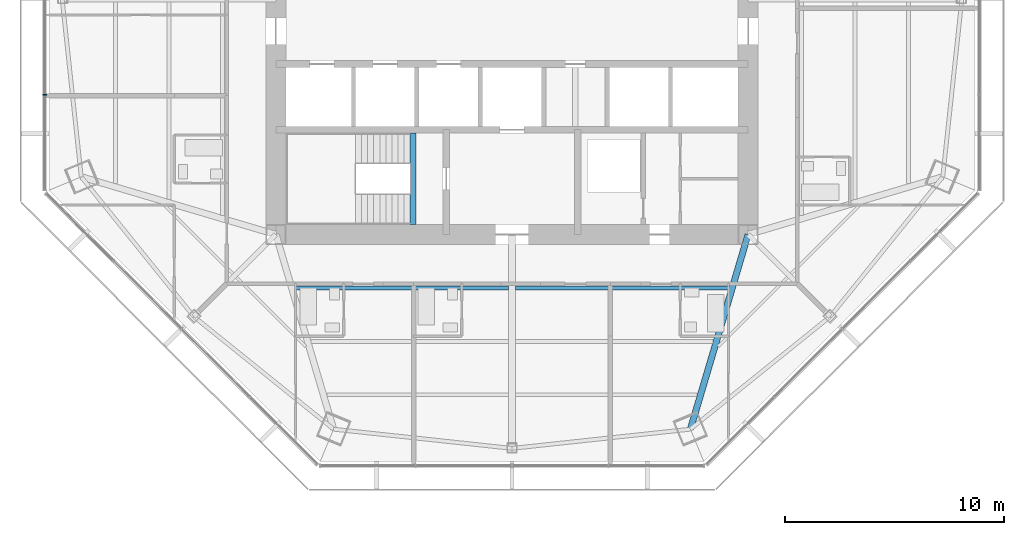
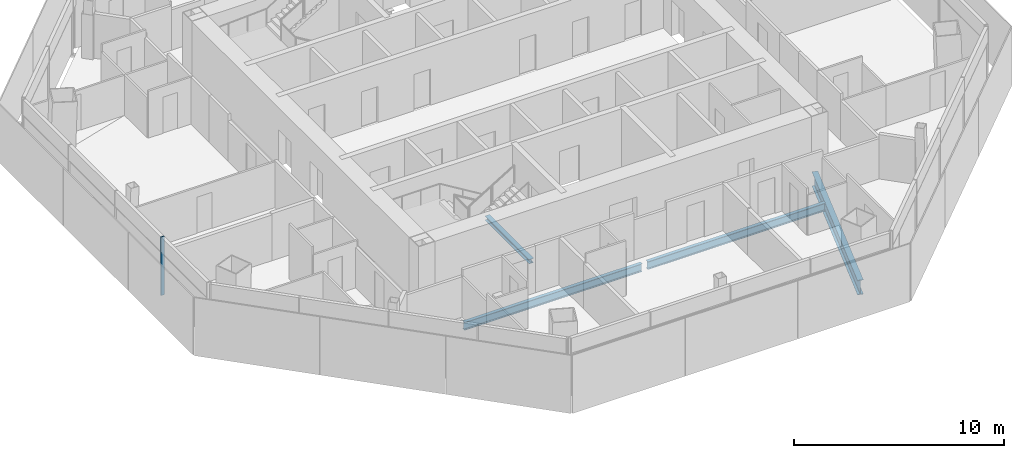
# One storey, part 3 of 15: 4 beams, 1 member, 1 element without a shape of its own.
"""IFC4 building model written with IfcOpenShell, lengths in metres."""

from ifc_helpers import new_model, si_unit, direction, frame, origin, origin_2d, place, context, subcontext, project, spatial, rectangle, i_section, extrude, source, transform, mapped, material, material_profile, profile_set, type_object, type_shapes, element, aggregate, save


model = new_model("IFC4")

# Units and contexts
model_context = context("Model", 3, precision=1e-05, world=origin(), true_north=direction((0.0, 1.0)))
body_context = subcontext(model_context, "Body", "Model", "MODEL_VIEW")
ifc_project = project(units=[si_unit("LENGTHUNIT", "METRE"), si_unit("AREAUNIT", "SQUARE_METRE"), si_unit("VOLUMEUNIT", "CUBIC_METRE"), si_unit("PLANEANGLEUNIT", "RADIAN"), si_unit("MASSUNIT", "GRAM", prefix="KILO")], contexts=[model_context])

# Site, building, storey
site_placement = place(None, origin())
site = spatial("IfcSite", under=ifc_project, at=site_placement, CompositionType="ELEMENT")
building_placement = place(site_placement, origin())
building = spatial("IfcBuilding", under=site, at=building_placement, Name="Mashrafa Tower", CompositionType="ELEMENT")
storey_placement = place(building_placement, frame((0.0, 0.0, 234.60009765625)))
storey = spatial("IfcBuildingStorey", under=building, at=storey_placement, Name="L55", CompositionType="ELEMENT", Elevation=234.60009765625)

# Beams
ifc_material_1 = material(Name="Steel ASTM A992", Category="steel")
ifc_material_profile_1 = material_profile(ifc_material_1, i_section(OverallWidth=0.191162109375, OverallDepth=0.459716796875, WebThickness=0.010009765625, FlangeThickness=0.01611328125, FilletRadius=0.01025390625, at=origin_2d()), Name="W18X55")
ifc_profile_set_1 = profile_set([ifc_material_profile_1], Name="Steel ASTM A992")
beam_type_1 = type_object("IfcBeamType", Name="Beam W18X55", PredefinedType="BEAM", material=ifc_profile_set_1)
for number, where, z_axis, x_axis, name in (
    (1, (-0.15380859375, -13.24609375, -0.429931640625), (-1.0, 0.0, 0.0), (0.0, -1.0, 0.0), "Floor beam L55 016"),
    (2, (9.92333984375, -13.24609375, -0.429931640625), (-1.0, 0.0, 0.0), (0.0, -1.0, 0.0), "Floor beam L55 023"),
):
    element("IfcBeam", number, at=place(storey_placement, frame(where, z_axis=z_axis, x_axis=x_axis)), inside=storey, type_object=beam_type_1, Name=name, PredefinedType="BEAM", context=body_context, shape_type="SweptSolid", body=[
        extrude(i_section(OverallWidth=0.191162109375, OverallDepth=0.459716796875, WebThickness=0.010009765625, FlangeThickness=0.01611328125, FilletRadius=0.01025390625, at=origin_2d()), origin(), (0.0, 0.0, 1.0), 9.76953125),
    ])
ifc_material_2 = material(Name="Steel ASTM A992", Category="steel")
ifc_material_profile_2 = material_profile(ifc_material_2, i_section(OverallWidth=0.2919921875, OverallDepth=0.845703125, WebThickness=0.015380859375, FlangeThickness=0.0244140625, FilletRadius=0.017333984375, at=origin_2d()), Name="W33X141")
ifc_profile_set_2 = profile_set([ifc_material_profile_2], Name="Steel ASTM A992")
beam_type_2 = type_object("IfcBeamType", Name="Beam W33X141", PredefinedType="BEAM", material=ifc_profile_set_2)
beam_1_placement = place(storey_placement, frame((10.800048828125, -10.800048828125, -0.623046875), z_axis=(-0.283984513375, -0.958828866985, 0.0), x_axis=(0.958828866985, -0.283984513375, 0.0)))
element("IfcBeam", 3, at=beam_1_placement, inside=storey, type_object=beam_type_2, Name="Radial girder L55 042", PredefinedType="BEAM", context=body_context, shape_type="SweptSolid", body=[
    extrude(i_section(OverallWidth=0.2919921875, OverallDepth=0.845703125, WebThickness=0.015380859375, FlangeThickness=0.0244140625, FilletRadius=0.017333984375, at=origin_2d()), origin(), (0.0, 0.0, 1.0), 9.2880859375),
])
ifc_material_3 = material(Name="Steel ASTM A992", Category="steel")
ifc_material_profile_3 = material_profile(ifc_material_3, i_section(OverallWidth=0.25390625, OverallDepth=0.25390625, WebThickness=0.008544921875, FlangeThickness=0.01416015625, FilletRadius=0.010009765625, at=origin_2d()), Name="W10X49")
ifc_profile_set_3 = profile_set([ifc_material_profile_3], Name="Steel ASTM A992")
beam_type_3 = type_object("IfcBeamType", Name="Hoistway beam W10X49", PredefinedType="BEAM", material=ifc_profile_set_3)
beam_2_placement = place(storey_placement, frame((-4.530029296875, -10.35009765625, -0.3271484375), z_axis=(0.0, 1.0, 0.0), x_axis=(-1.0, 0.0, 0.0)))
element("IfcBeam", 4, at=beam_2_placement, inside=storey, type_object=beam_type_3, Name="Stair S3 landing beam L55", PredefinedType="BEAM", context=body_context, shape_type="SweptSolid", body=[
    extrude(i_section(OverallWidth=0.25390625, OverallDepth=0.25390625, WebThickness=0.008544921875, FlangeThickness=0.01416015625, FilletRadius=0.010009765625, at=origin_2d()), origin(), (0.0, 0.0, 1.0), 4.2001953125),
])

# Curtain wall, member
ifc_material_4 = material(Name="Unitised aluminium curtain wall", Category="aluminium")
curtain_wall_type = type_object("IfcCurtainWallType", Name="Apartment curtain wall, zone 3 CW-C 180 deep", PredefinedType="NOTDEFINED", material=ifc_material_4)
curtain_wall_placement = place(storey_placement, origin())
curtain_wall = element("IfcCurtainWall", 5, at=curtain_wall_placement, inside=storey, type_object=curtain_wall_type, Name="Apartment curtain wall, zone 3 L55 west", PredefinedType="NOTDEFINED")
ifc_material_5 = material(Name="Extruded aluminium mullion", Category="aluminium")
ifc_material_profile_4 = material_profile(ifc_material_5, rectangle(XDim=0.179931640625, YDim=0.06005859375, at=origin_2d()), Name="Mullion 60x180")
ifc_profile_set_4 = profile_set([ifc_material_profile_4], Name="Extruded aluminium mullion")
member_type = type_object("IfcMemberType", Name="Mullion CW-C 60 x 180", PredefinedType="MULLION", material=ifc_profile_set_4)
shared_shape = source(origin(), body_context, "Body", "SweptSolid", [
    extrude(rectangle(XDim=0.179931640625, YDim=0.06005859375, at=origin_2d()), origin(), (0.0, 0.0, 1.0), 3.39990234375),
])
type_shapes(member_type, [shared_shape])
member_placement = place(storey_placement, frame((-21.378173828125, -4.404052734375, 0.0), z_axis=(0.0, 0.0, 1.0), x_axis=(1.0, 0.0, 0.0)))
member = element("IfcMember", 6, at=member_placement, type_object=member_type, Name="CW-C mullion 4", PredefinedType="MULLION", context=body_context, shape_type="MappedRepresentation", body=[
    mapped(shared_shape, transform((0.0, 0.0, 0.0))),
])
aggregate(curtain_wall, [member])

save(model, "model.ifc")
